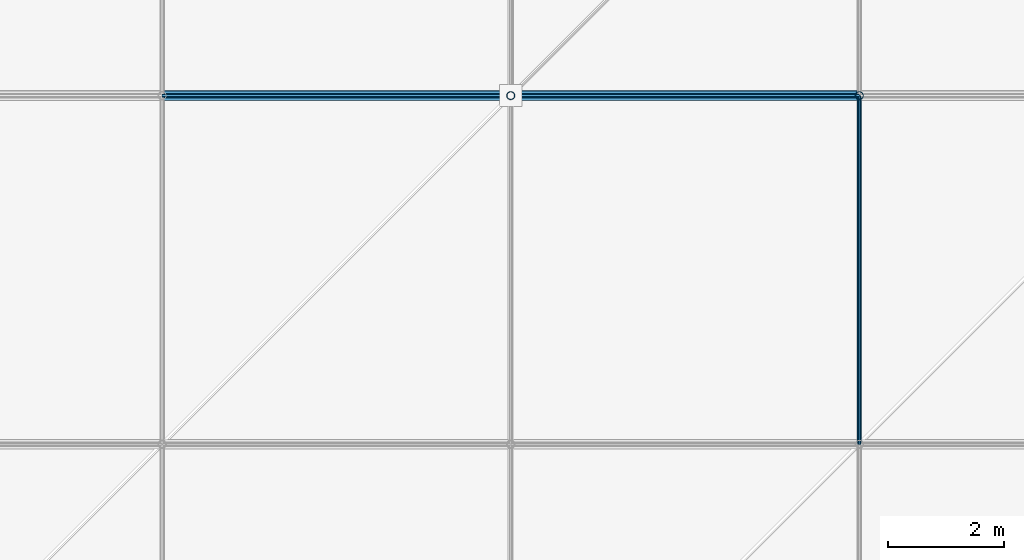
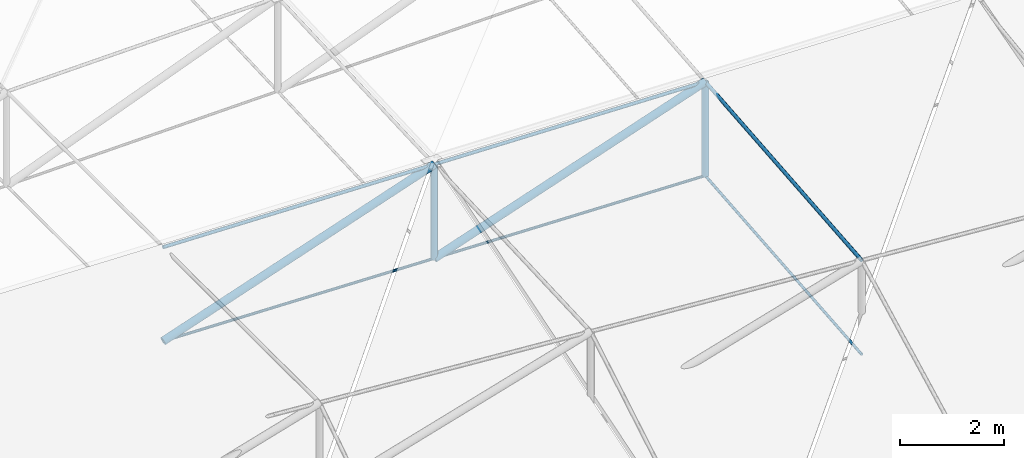
# One storey, part 33 of 132: 10 members.
"""IFC4 building model written with IfcOpenShell, lengths in metres."""

from ifc_helpers import new_model, si_unit, direction, frame, origin, origin_2d, place, context, subcontext, project, spatial, circle, hollow_circle, extrude, material, material_profile, profile_set, type_object, element, save


model = new_model("IFC4")

# Units and contexts
model_context = context("Model", 3, precision=1e-05, world=origin(), true_north=direction((0.0, 1.0)))
body_context = subcontext(model_context, "Body", "Model", "MODEL_VIEW")
ifc_project = project(units=[si_unit("LENGTHUNIT", "METRE"), si_unit("AREAUNIT", "SQUARE_METRE"), si_unit("VOLUMEUNIT", "CUBIC_METRE"), si_unit("PLANEANGLEUNIT", "RADIAN"), si_unit("MASSUNIT", "GRAM", prefix="KILO")], contexts=[model_context])

# Site, building, storey
site_placement = place(None, origin())
site = spatial("IfcSite", under=ifc_project, at=site_placement, CompositionType="ELEMENT")
building_placement = place(site_placement, origin())
building = spatial("IfcBuilding", under=site, at=building_placement, Name="Deido Ridge Mobility Hub", CompositionType="ELEMENT")
storey_placement = place(building_placement, frame((0.0, 0.0, 8.39990234375)))
storey = spatial("IfcBuildingStorey", under=building, at=storey_placement, Name="L02", CompositionType="ELEMENT", Elevation=8.39990234375)

# Members
ifc_material_1 = material(Name="Steel S460M EN 10025-4", Category="steel")
ifc_material_profile_1 = material_profile(ifc_material_1, circle(Radius=0.030029296875, at=origin_2d()), Name="CABLE D60")
ifc_profile_set_1 = profile_set([ifc_material_profile_1], Name="Steel S460M EN 10025-4")
member_type_1 = type_object("IfcMemberType", Name="MEM-CBL-D60", PredefinedType="USERDEFINED", material=ifc_profile_set_1)
for number, where, z_axis, x_axis, name in (
    (1, (30.0, 12.0, 1.800048828125), (0.999629695867, 0.0, -0.027211599387), (0.0, 1.0, 0.0), "Saddle lower stabilizing cable CB3"),
    (2, (36.0, 12.0, 1.63671875), (0.999629695867, 0.0, -0.027211599387), (0.0, 1.0, 0.0), "Saddle lower stabilizing cable CB3"),
):
    element("IfcMember", number, at=place(storey_placement, frame(where, z_axis=z_axis, x_axis=x_axis)), inside=storey, type_object=member_type_1, Name=name, ObjectType="TENSION CABLE", PredefinedType="USERDEFINED", context=body_context, shape_type="SweptSolid", body=[
        extrude(circle(Radius=0.030029296875, at=origin_2d()), origin(), (0.0, 0.0, 1.0), 6.002197265625),
    ])
member_1_placement = place(storey_placement, frame((42.0, 6.0, 0.9267578125), z_axis=(0.0, 0.9958755837, 0.090729387691), x_axis=(-1.0, 0.0, 0.0)))
element("IfcMember", 3, at=member_1_placement, inside=storey, type_object=member_type_1, Name="Saddle transverse valley cable CB3", ObjectType="TENSION CABLE", PredefinedType="USERDEFINED", context=body_context, shape_type="SweptSolid", body=[
    extrude(circle(Radius=0.030029296875, at=origin_2d()), origin(), (0.0, 0.0, 1.0), 6.02490234375),
])
ifc_material_profile_2 = material_profile(ifc_material_1, circle(Radius=0.0380859375, at=origin_2d()), Name="CABLE D76")
ifc_profile_set_2 = profile_set([ifc_material_profile_2], Name="Steel S460M EN 10025-4")
member_type_2 = type_object("IfcMemberType", Name="MEM-CBL-D76", PredefinedType="USERDEFINED", material=ifc_profile_set_2)
for number, where, z_axis, x_axis, name in (
    (4, (30.0, 12.0, 4.0), (0.999630801465, 0.0, -0.027170954402), (0.0, 1.0, 0.0), "Saddle upper longitudinal cable CB2"),
    (5, (36.0, 12.0, 3.8369140625), (0.999628588619, 0.0, -0.027252244237), (0.0, 1.0, 0.0), "Saddle upper longitudinal cable CB2"),
):
    element("IfcMember", number, at=place(storey_placement, frame(where, z_axis=z_axis, x_axis=x_axis)), inside=storey, type_object=member_type_2, Name=name, ObjectType="TENSION CABLE", PredefinedType="USERDEFINED", context=body_context, shape_type="SweptSolid", body=[
        extrude(circle(Radius=0.0380859375, at=origin_2d()), origin(), (0.0, 0.0, 1.0), 6.002197265625),
    ])
member_2_placement = place(storey_placement, frame((42.0, 6.0, 3.126708984375), z_axis=(0.0, 0.9958755837, 0.090729387691), x_axis=(-1.0, 0.0, 0.0)))
element("IfcMember", 6, at=member_2_placement, inside=storey, type_object=member_type_2, Name="Saddle transverse ridge cable CB2", ObjectType="TENSION CABLE", PredefinedType="USERDEFINED", context=body_context, shape_type="SweptSolid", body=[
    extrude(circle(Radius=0.0380859375, at=origin_2d()), origin(), (0.0, 0.0, 1.0), 6.02490234375),
])
ifc_material_2 = material(Name="Steel S355J2H EN 10210-1", Category="steel")
ifc_material_profile_3 = material_profile(ifc_material_2, hollow_circle(Radius=0.06982421875, WallThickness=0.00634765625, at=origin_2d()), Name="CHS 139.7x6.3")
ifc_profile_set_3 = profile_set([ifc_material_profile_3], Name="Steel S355J2H EN 10210-1")
member_type_3 = type_object("IfcMemberType", Name="MEM-STR-CHS140", PredefinedType="STRUT", material=ifc_profile_set_3)
member_3_placement = place(storey_placement, frame((36.0, 12.0, 1.63671875), z_axis=(0.0, 0.0, 1.0), x_axis=(1.0, 0.0, 0.0)))
element("IfcMember", 7, at=member_3_placement, inside=storey, type_object=member_type_3, Name="Cable-net vertical spreader strut SR2", PredefinedType="STRUT", context=body_context, shape_type="SweptSolid", body=[
    extrude(hollow_circle(Radius=0.06982421875, WallThickness=0.00634765625, at=origin_2d()), origin(), (0.0, 0.0, 1.0), 2.2001953125),
])
member_4_placement = place(storey_placement, frame((42.0, 12.0, 1.473388671875), z_axis=(0.0, 0.0, 1.0), x_axis=(1.0, 0.0, 0.0)))
element("IfcMember", 8, at=member_4_placement, inside=storey, type_object=member_type_3, Name="Cable-net vertical spreader strut SR2", PredefinedType="STRUT", context=body_context, shape_type="SweptSolid", body=[
    extrude(hollow_circle(Radius=0.06982421875, WallThickness=0.00634765625, at=origin_2d()), origin(), (0.0, 0.0, 1.0), 2.199951171875),
])
ifc_material_profile_4 = material_profile(ifc_material_2, hollow_circle(Radius=0.084228515625, WallThickness=0.008056640625, at=origin_2d()), Name="CHS 168.3x8")
ifc_profile_set_4 = profile_set([ifc_material_profile_4], Name="Steel S355J2H EN 10210-1")
member_type_4 = type_object("IfcMemberType", Name="MEM-STR-CHS168", PredefinedType="STRUT", material=ifc_profile_set_4)
member_5_placement = place(storey_placement, frame((30.0, 12.0, 1.800048828125), z_axis=(0.946923419348, 0.0, 0.321459232081), x_axis=(0.0, 1.0, 0.0)))
element("IfcMember", 9, at=member_5_placement, inside=storey, type_object=member_type_4, Name="Saddle diagonal web strut SR1", PredefinedType="STRUT", context=body_context, shape_type="SweptSolid", body=[
    extrude(hollow_circle(Radius=0.084228515625, WallThickness=0.008056640625, at=origin_2d()), origin(), (0.0, 0.0, 1.0), 6.33642578125),
])
member_6_placement = place(storey_placement, frame((36.0, 12.0, 1.63671875), z_axis=(0.946935147416, 0.0, 0.321424682607), x_axis=(0.0, 1.0, 0.0)))
element("IfcMember", 10, at=member_6_placement, inside=storey, type_object=member_type_4, Name="Saddle diagonal web strut SR1", PredefinedType="STRUT", context=body_context, shape_type="SweptSolid", body=[
    extrude(hollow_circle(Radius=0.084228515625, WallThickness=0.008056640625, at=origin_2d()), origin(), (0.0, 0.0, 1.0), 6.336181640625),
])

save(model, "model.ifc")
